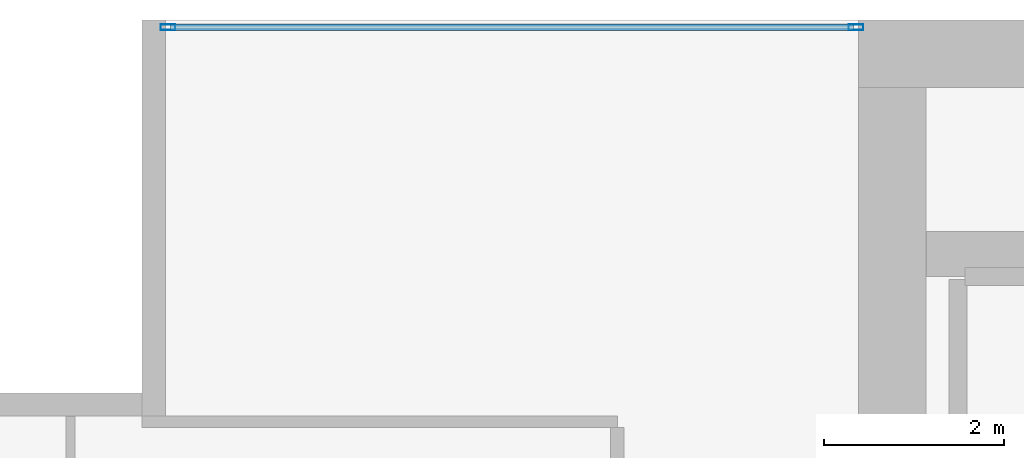
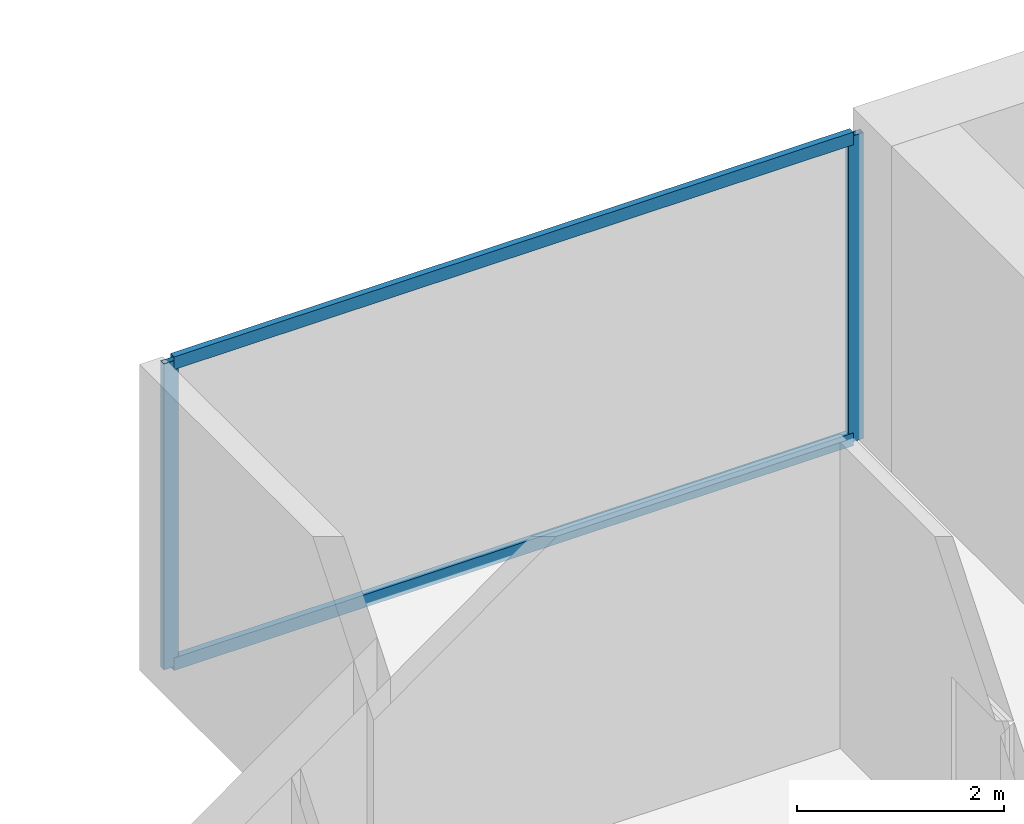
# One storey, part 22 of 34: 4 members, 1 element without a shape of its own.
"""IFC4 building model written with IfcOpenShell, lengths in metres."""

from ifc_helpers import new_model, si_unit, direction, frame, origin, origin_2d, place, context, subcontext, project, spatial, hollow_rectangle, extrude, material, layer, layer_set, material_profile, profile_set, type_object, element, aggregate, save


model = new_model("IFC4")

# Units and contexts
model_context = context("Model", 3, precision=1e-05, world=origin(), true_north=direction((0.0, 1.0)))
body_context = subcontext(model_context, "Body", "Model", "MODEL_VIEW")
ifc_project = project(units=[si_unit("LENGTHUNIT", "METRE"), si_unit("AREAUNIT", "SQUARE_METRE"), si_unit("VOLUMEUNIT", "CUBIC_METRE"), si_unit("PLANEANGLEUNIT", "RADIAN"), si_unit("MASSUNIT", "GRAM", prefix="KILO")], contexts=[model_context])

# Site, building, storey
site_placement = place(None, origin())
site = spatial("IfcSite", under=ifc_project, at=site_placement, CompositionType="ELEMENT")
building_placement = place(site_placement, origin())
building = spatial("IfcBuilding", under=site, at=building_placement, Name="Maruvema Waterfront Hotel and Observation Tower", CompositionType="ELEMENT")
storey_placement = place(building_placement, frame((0.0, 0.0, 146.64990234375)))
storey = spatial("IfcBuildingStorey", under=building, at=storey_placement, Name="L35", CompositionType="ELEMENT", Elevation=146.64990234375)

# Curtain wall, members
ifc_material_1 = material(Name="Anodised bronze aluminium and solar-control low-E IGU", Category="aluminium")
ifc_layer = layer(ifc_material_1, 0.159912109375, Name="Zone 2 Amber Inner Thermal Curtain Wall System CW-03")
ifc_layer_set = layer_set([ifc_layer], Name="Anodised bronze aluminium and solar-control low-E IGU")
curtain_wall_type = type_object("IfcCurtainWallType", Name="Zone 2 Amber Inner Thermal Curtain Wall System CW-03", PredefinedType="USERDEFINED", material=ifc_layer_set)
curtain_wall_placement = place(storey_placement, origin())
curtain_wall = element("IfcCurtainWall", 1, at=curtain_wall_placement, inside=storey, type_object=curtain_wall_type, Name="L35 Curtain Wall CW-L35-NW", ObjectType="UNITISED CURTAIN WALL", PredefinedType="USERDEFINED")
ifc_material_2 = material(Name="Anodised architectural bronze aluminium", Category="aluminium")
ifc_material_profile_1 = material_profile(ifc_material_2, hollow_rectangle(XDim=0.070068359375, YDim=0.14990234375, WallThickness=0.00390625, at=origin_2d()), Name="ALU-T70x150")
ifc_profile_set_1 = profile_set([ifc_material_profile_1], Name="Anodised architectural bronze aluminium")
member_type_1 = type_object("IfcMemberType", Name="Curtain Wall Horizontal Transom ALU-T70x150", PredefinedType="USERDEFINED", material=ifc_profile_set_1)
member_1_placement = place(storey_placement, frame((25.139892578125, 53.919921875, 0.030029296875), z_axis=(-1.0, 0.0, 0.0), x_axis=(0.0, -1.0, 0.0)))
member_1 = element("IfcMember", 2, at=member_1_placement, type_object=member_type_1, Name="CW-03 transom 1.1", ObjectType="TRANSOM", PredefinedType="USERDEFINED", context=body_context, shape_type="SweptSolid", body=[
    extrude(hollow_rectangle(XDim=0.070068359375, YDim=0.14990234375, WallThickness=0.00390625, at=origin_2d()), origin(), (0.0, 0.0, 1.0), 7.579833984375),
])
member_2_placement = place(storey_placement, frame((25.139892578125, 53.919921875, 3.580078125), z_axis=(-1.0, 0.0, 0.0), x_axis=(0.0, -1.0, 0.0)))
member_2 = element("IfcMember", 3, at=member_2_placement, type_object=member_type_1, Name="CW-03 transom 1.2", ObjectType="TRANSOM", PredefinedType="USERDEFINED", context=body_context, shape_type="SweptSolid", body=[
    extrude(hollow_rectangle(XDim=0.070068359375, YDim=0.14990234375, WallThickness=0.00390625, at=origin_2d()), origin(), (0.0, 0.0, 1.0), 7.579833984375),
])
ifc_material_3 = material(Name="Anodised architectural bronze aluminium", Category="aluminium")
ifc_material_profile_2 = material_profile(ifc_material_3, hollow_rectangle(XDim=0.06494140625, YDim=0.1650390625, WallThickness=0.00390625, at=origin_2d()), Name="ALU-M65x165")
ifc_profile_set_2 = profile_set([ifc_material_profile_2], Name="Anodised architectural bronze aluminium")
member_type_2 = type_object("IfcMemberType", Name="Curtain Wall Primary Mullion ALU-M65x165", PredefinedType="MULLION", material=ifc_profile_set_2)
member_3_placement = place(storey_placement, frame((25.169921875, 53.919921875, 0.0), z_axis=(0.0, 0.0, 1.0), x_axis=(0.0, -1.0, 0.0)))
member_3 = element("IfcMember", 4, at=member_3_placement, type_object=member_type_2, Name="CW-03 mullion 1", PredefinedType="MULLION", context=body_context, shape_type="SweptSolid", body=[
    extrude(hollow_rectangle(XDim=0.06494140625, YDim=0.1650390625, WallThickness=0.00390625, at=origin_2d()), origin(), (0.0, 0.0, 1.0), 3.610107421875),
])
member_4_placement = place(storey_placement, frame((17.530029296875, 53.919921875, 0.0), z_axis=(0.0, 0.0, 1.0), x_axis=(0.0, -1.0, 0.0)))
member_4 = element("IfcMember", 5, at=member_4_placement, type_object=member_type_2, Name="CW-03 mullion 2", PredefinedType="MULLION", context=body_context, shape_type="SweptSolid", body=[
    extrude(hollow_rectangle(XDim=0.06494140625, YDim=0.1650390625, WallThickness=0.00390625, at=origin_2d()), origin(), (0.0, 0.0, 1.0), 3.610107421875),
])
aggregate(curtain_wall, [member_3, member_4, member_1, member_2])

save(model, "model.ifc")
